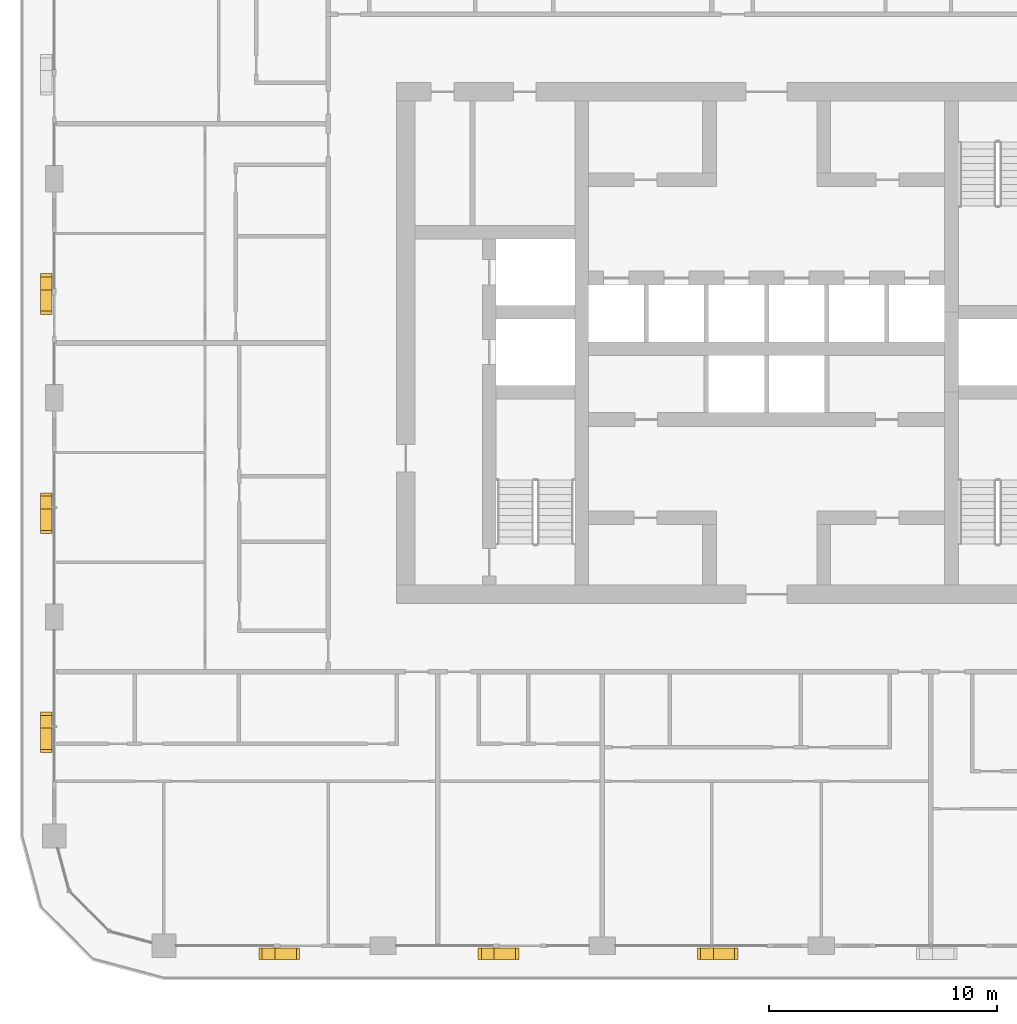
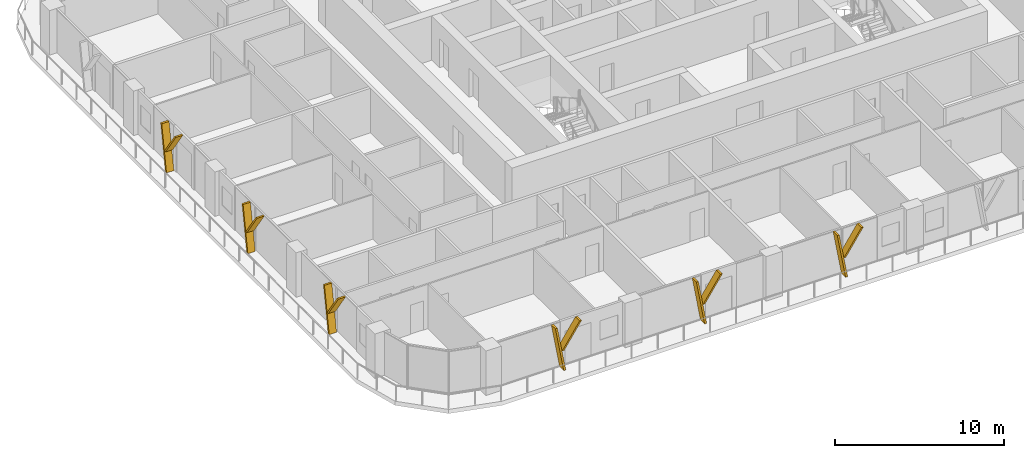
# One storey, part 17 of 22: 12 shading devices.
"""IFC4 building model written with IfcOpenShell, lengths in metres."""

from ifc_helpers import new_model, si_unit, direction, frame, origin, place, context, subcontext, project, spatial, polyline, outline, extrude, material, type_object, element, save


model = new_model("IFC4")

# Units and contexts
model_context = context("Model", 3, precision=1e-05, world=origin(), true_north=direction((0.0, 1.0)))
body_context = subcontext(model_context, "Body", "Model", "MODEL_VIEW")
ifc_project = project(units=[si_unit("LENGTHUNIT", "METRE"), si_unit("AREAUNIT", "SQUARE_METRE"), si_unit("VOLUMEUNIT", "CUBIC_METRE"), si_unit("PLANEANGLEUNIT", "RADIAN"), si_unit("MASSUNIT", "GRAM", prefix="KILO")], contexts=[model_context])

# Site, building, storey
site_placement = place(None, origin())
site = spatial("IfcSite", under=ifc_project, at=site_placement, CompositionType="ELEMENT")
building_placement = place(site_placement, origin())
building = spatial("IfcBuilding", under=site, at=building_placement, Name="Madar Terraces", CompositionType="ELEMENT")
storey_placement = place(building_placement, frame((0.0, 0.0, 163.0)))
storey = spatial("IfcBuildingStorey", under=building, at=storey_placement, Name="L42", CompositionType="ELEMENT", Elevation=163.0)

# Shading devices
ifc_material = material(Name="Aluminium, black anodised", Category="aluminium")
shading_device_type = type_object("IfcShadingDeviceType", Name="Facade fin blade 140 x 500", PredefinedType="USERDEFINED", material=ifc_material)
shading_device_1_placement = place(storey_placement, frame((9.530029296875, -0.35009765625, 0.0), z_axis=(0.0, 0.0, 1.0), x_axis=(1.0, 0.0, 0.0)))
element("IfcShadingDevice", 1, at=shading_device_1_placement, inside=storey, type_object=shading_device_type, Name="FIN L42 S1", ObjectType="FIN", PredefinedType="USERDEFINED", context=body_context, shape_type="SweptSolid", body=[
    extrude(outline(polyline([(0.0, 0.0), (0.139892578125, 0.0), (-0.42431640625, 3.199951171875), (-0.564208984375, 3.199951171875), (0.0, 0.0)])), frame((0.0, 0.25, 0.0), z_axis=(0.0, -1.0, 0.0), x_axis=(1.0, 0.0, 0.0)), (0.0, 0.0, 1.0), 0.5),
])
shading_device_2_placement = place(storey_placement, frame((9.416015625, -0.35009765625, 1.43994140625), z_axis=(0.0, 0.0, 1.0), x_axis=(1.0, 0.0, 0.0)))
element("IfcShadingDevice", 2, at=shading_device_2_placement, inside=storey, type_object=shading_device_type, Name="FIN L42 S1 branch", ObjectType="FIN", PredefinedType="USERDEFINED", context=body_context, shape_type="SweptSolid", body=[
    extrude(outline(polyline([(0.0, 0.0), (0.14013671875, 0.0), (1.32958984375, 1.760009765625), (1.189697265625, 1.760009765625), (0.0, 0.0)])), frame((0.0, 0.25, 0.0), z_axis=(0.0, -1.0, 0.0), x_axis=(1.0, 0.0, 0.0)), (0.0, 0.0, 1.0), 0.5),
])
shading_device_3_placement = place(storey_placement, frame((19.1298828125, -0.35009765625, 0.0), z_axis=(0.0, 0.0, 1.0), x_axis=(1.0, 0.0, 0.0)))
element("IfcShadingDevice", 3, at=shading_device_3_placement, inside=storey, type_object=shading_device_type, Name="FIN L42 S2", ObjectType="FIN", PredefinedType="USERDEFINED", context=body_context, shape_type="SweptSolid", body=[
    extrude(outline(polyline([(0.0, 0.0), (0.14013671875, 0.0), (-0.42431640625, 3.199951171875), (-0.564208984375, 3.199951171875), (0.0, 0.0)])), frame((0.0, 0.25, 0.0), z_axis=(0.0, -1.0, 0.0), x_axis=(1.0, 0.0, 0.0)), (0.0, 0.0, 1.0), 0.5),
])
shading_device_4_placement = place(storey_placement, frame((19.01611328125, -0.35009765625, 1.43994140625), z_axis=(0.0, 0.0, 1.0), x_axis=(1.0, 0.0, 0.0)))
element("IfcShadingDevice", 4, at=shading_device_4_placement, inside=storey, type_object=shading_device_type, Name="FIN L42 S2 branch", ObjectType="FIN", PredefinedType="USERDEFINED", context=body_context, shape_type="SweptSolid", body=[
    extrude(outline(polyline([(0.0, 0.0), (0.139892578125, 0.0), (1.32958984375, 1.760009765625), (1.189697265625, 1.760009765625), (0.0, 0.0)])), frame((0.0, 0.25, 0.0), z_axis=(0.0, -1.0, 0.0), x_axis=(1.0, 0.0, 0.0)), (0.0, 0.0, 1.0), 0.5),
])
shading_device_5_placement = place(storey_placement, frame((28.72998046875, -0.35009765625, 0.0), z_axis=(0.0, 0.0, 1.0), x_axis=(1.0, 0.0, 0.0)))
element("IfcShadingDevice", 5, at=shading_device_5_placement, inside=storey, type_object=shading_device_type, Name="FIN L42 S3", ObjectType="FIN", PredefinedType="USERDEFINED", context=body_context, shape_type="SweptSolid", body=[
    extrude(outline(polyline([(0.0, 0.0), (0.14013671875, 0.0), (-0.42431640625, 3.199951171875), (-0.564208984375, 3.199951171875), (0.0, 0.0)])), frame((0.0, 0.25, 0.0), z_axis=(0.0, -1.0, 0.0), x_axis=(1.0, 0.0, 0.0)), (0.0, 0.0, 1.0), 0.5),
])
shading_device_6_placement = place(storey_placement, frame((28.6162109375, -0.35009765625, 1.43994140625), z_axis=(0.0, 0.0, 1.0), x_axis=(1.0, 0.0, 0.0)))
element("IfcShadingDevice", 6, at=shading_device_6_placement, inside=storey, type_object=shading_device_type, Name="FIN L42 S3 branch", ObjectType="FIN", PredefinedType="USERDEFINED", context=body_context, shape_type="SweptSolid", body=[
    extrude(outline(polyline([(0.0, 0.0), (0.139892578125, 0.0), (1.32958984375, 1.760009765625), (1.189697265625, 1.760009765625), (0.0, 0.0)])), frame((0.0, 0.25, 0.0), z_axis=(0.0, -1.0, 0.0), x_axis=(1.0, 0.0, 0.0)), (0.0, 0.0, 1.0), 0.5),
])
shading_device_7_placement = place(storey_placement, frame((-0.35009765625, 28.8701171875, 0.0), z_axis=(0.0, 0.0, 1.0), x_axis=(0.0, -1.0, 0.0)))
element("IfcShadingDevice", 7, at=shading_device_7_placement, inside=storey, type_object=shading_device_type, Name="FIN L42 W2", ObjectType="FIN", PredefinedType="USERDEFINED", context=body_context, shape_type="SweptSolid", body=[
    extrude(outline(polyline([(0.0, 0.0), (0.14013671875, 0.0), (-0.42431640625, 3.199951171875), (-0.564208984375, 3.199951171875), (0.0, 0.0)])), frame((0.0, 0.25, 0.0), z_axis=(0.0, -1.0, 0.0), x_axis=(1.0, 0.0, 0.0)), (0.0, 0.0, 1.0), 0.5),
])
shading_device_8_placement = place(storey_placement, frame((-0.35009765625, 28.98388671875, 1.43994140625), z_axis=(0.0, 0.0, 1.0), x_axis=(0.0, -1.0, 0.0)))
element("IfcShadingDevice", 8, at=shading_device_8_placement, inside=storey, type_object=shading_device_type, Name="FIN L42 W2 branch", ObjectType="FIN", PredefinedType="USERDEFINED", context=body_context, shape_type="SweptSolid", body=[
    extrude(outline(polyline([(0.0, 0.0), (0.139892578125, 0.0), (1.32958984375, 1.760009765625), (1.189697265625, 1.760009765625), (0.0, 0.0)])), frame((0.0, 0.25, 0.0), z_axis=(0.0, -1.0, 0.0), x_axis=(1.0, 0.0, 0.0)), (0.0, 0.0, 1.0), 0.5),
])
shading_device_9_placement = place(storey_placement, frame((-0.35009765625, 19.27001953125, 0.0), z_axis=(0.0, 0.0, 1.0), x_axis=(0.0, -1.0, 0.0)))
element("IfcShadingDevice", 9, at=shading_device_9_placement, inside=storey, type_object=shading_device_type, Name="FIN L42 W3", ObjectType="FIN", PredefinedType="USERDEFINED", context=body_context, shape_type="SweptSolid", body=[
    extrude(outline(polyline([(0.0, 0.0), (0.14013671875, 0.0), (-0.42431640625, 3.199951171875), (-0.564208984375, 3.199951171875), (0.0, 0.0)])), frame((0.0, 0.25, 0.0), z_axis=(0.0, -1.0, 0.0), x_axis=(1.0, 0.0, 0.0)), (0.0, 0.0, 1.0), 0.5),
])
shading_device_10_placement = place(storey_placement, frame((-0.35009765625, 19.3837890625, 1.43994140625), z_axis=(0.0, 0.0, 1.0), x_axis=(0.0, -1.0, 0.0)))
element("IfcShadingDevice", 10, at=shading_device_10_placement, inside=storey, type_object=shading_device_type, Name="FIN L42 W3 branch", ObjectType="FIN", PredefinedType="USERDEFINED", context=body_context, shape_type="SweptSolid", body=[
    extrude(outline(polyline([(0.0, 0.0), (0.139892578125, 0.0), (1.32958984375, 1.760009765625), (1.189697265625, 1.760009765625), (0.0, 0.0)])), frame((0.0, 0.25, 0.0), z_axis=(0.0, -1.0, 0.0), x_axis=(1.0, 0.0, 0.0)), (0.0, 0.0, 1.0), 0.5),
])
shading_device_11_placement = place(storey_placement, frame((-0.35009765625, 9.669921875, 0.0), z_axis=(0.0, 0.0, 1.0), x_axis=(0.0, -1.0, 0.0)))
element("IfcShadingDevice", 11, at=shading_device_11_placement, inside=storey, type_object=shading_device_type, Name="FIN L42 W4", ObjectType="FIN", PredefinedType="USERDEFINED", context=body_context, shape_type="SweptSolid", body=[
    extrude(outline(polyline([(0.0, 0.0), (0.139892578125, 0.0), (-0.42431640625, 3.199951171875), (-0.564208984375, 3.199951171875), (0.0, 0.0)])), frame((0.0, 0.25, 0.0), z_axis=(0.0, -1.0, 0.0), x_axis=(1.0, 0.0, 0.0)), (0.0, 0.0, 1.0), 0.5),
])
shading_device_12_placement = place(storey_placement, frame((-0.35009765625, 9.783935546875, 1.43994140625), z_axis=(0.0, 0.0, 1.0), x_axis=(0.0, -1.0, 0.0)))
element("IfcShadingDevice", 12, at=shading_device_12_placement, inside=storey, type_object=shading_device_type, Name="FIN L42 W4 branch", ObjectType="FIN", PredefinedType="USERDEFINED", context=body_context, shape_type="SweptSolid", body=[
    extrude(outline(polyline([(0.0, 0.0), (0.14013671875, 0.0), (1.32958984375, 1.760009765625), (1.189697265625, 1.760009765625), (0.0, 0.0)])), frame((0.0, 0.25, 0.0), z_axis=(0.0, -1.0, 0.0), x_axis=(1.0, 0.0, 0.0)), (0.0, 0.0, 1.0), 0.5),
])

save(model, "model.ifc")
